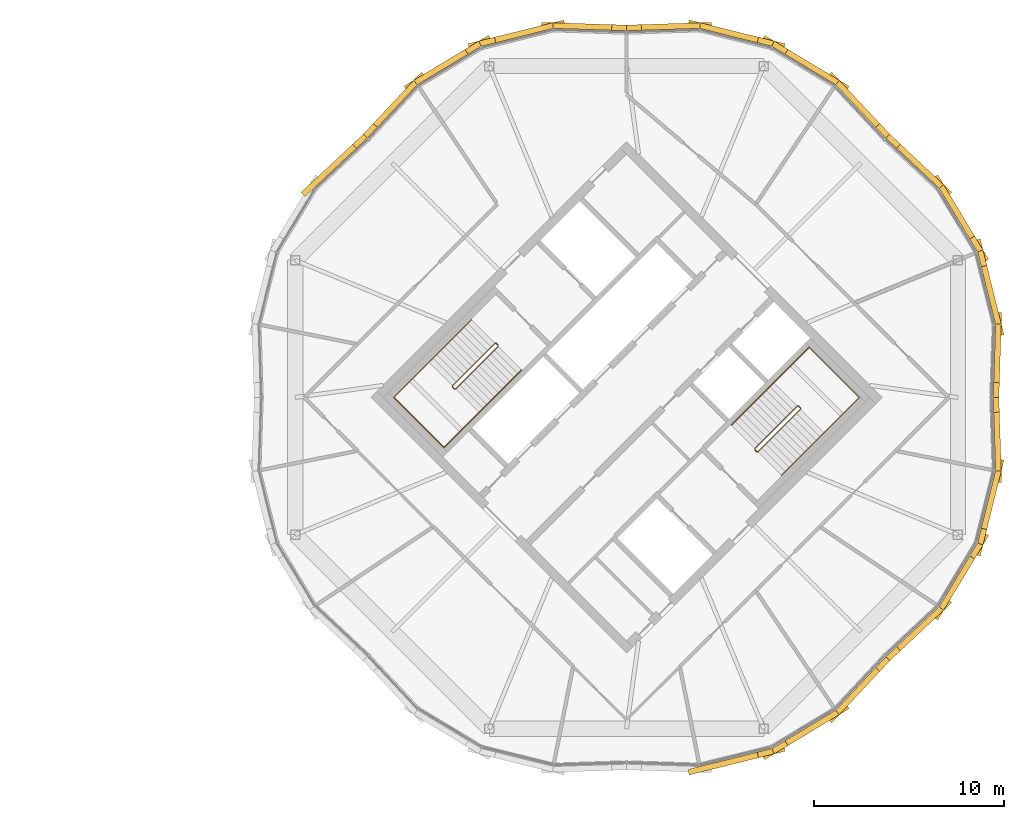
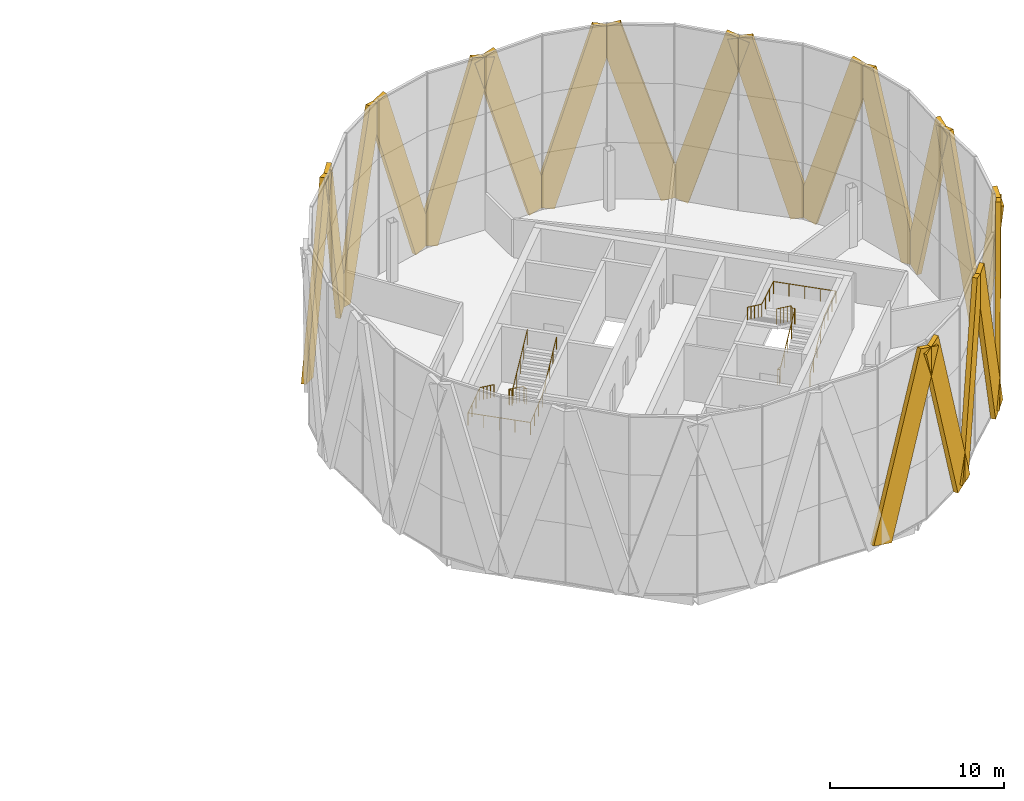
# One storey, part 23 of 23: 20 coverings, 4 railings.
"""IFC4 building model written with IfcOpenShell, lengths in metres."""

from ifc_helpers import new_model, si_unit, direction, frame, origin, origin_2d, place, context, subcontext, project, spatial, rectangle, circle, extrude, material, material_profile, profile_set, type_object, element, save


model = new_model("IFC4")

# Units and contexts
model_context = context("Model", 3, precision=1e-05, world=origin(), true_north=direction((0.0, 1.0)))
body_context = subcontext(model_context, "Body", "Model", "MODEL_VIEW")
ifc_project = project(units=[si_unit("LENGTHUNIT", "METRE"), si_unit("AREAUNIT", "SQUARE_METRE"), si_unit("VOLUMEUNIT", "CUBIC_METRE"), si_unit("PLANEANGLEUNIT", "RADIAN"), si_unit("MASSUNIT", "GRAM", prefix="KILO")], contexts=[model_context])

# Site, building, storey
site_placement = place(None, origin())
site = spatial("IfcSite", under=ifc_project, at=site_placement, CompositionType="ELEMENT")
building_placement = place(site_placement, origin())
building = spatial("IfcBuilding", under=site, at=building_placement, Name="Ogive Gate Towers", CompositionType="ELEMENT")
storey_placement = place(building_placement, frame((0.0, 0.0, 256.199951171875)))
storey = spatial("IfcBuildingStorey", under=building, at=storey_placement, Name="L60", CompositionType="ELEMENT", Elevation=256.199951171875)

# Coverings
ifc_material_1 = material(Name="Pale metal aluminium", Category="aluminium")
ifc_material_profile = material_profile(ifc_material_1, rectangle(XDim=0.300048828125, YDim=1.5, at=origin_2d()), Name="1500 x 300 pale metal aluminium")
ifc_profile_set = profile_set([ifc_material_profile], Name="Pale metal aluminium")
covering_type = type_object("IfcCoveringType", Name="Facade fin 1500 x 300", PredefinedType="CLADDING", material=ifc_profile_set)
covering_1_placement = place(storey_placement, frame((55.551513671875, 3.759521484375, -0.02978515625), z_axis=(-0.009463680043, -0.293257962567, 0.955986509398), x_axis=(0.99947970287, -0.032254047034, 0.0)))
element("IfcCovering", 1, at=covering_1_placement, inside=storey, type_object=covering_type, Name="Facade fin", PredefinedType="CLADDING", context=body_context, shape_type="SweptSolid", body=[
    extrude(rectangle(XDim=0.300048828125, YDim=1.5, at=origin_2d()), origin(), (0.0, 0.0, 1.0), 12.614990234375),
])
for number, where, z_axis, x_axis, name in (
    (2, (55.5302734375, 3.957275390625, -0.02685546875), (-0.071605059781, 0.288798695064, 0.954708347687), (-0.970610891507, -0.240654310763, 0.0), "Facade fin"),
    (3, (52.608154296875, 11.01171875, -0.02685546875), (0.153593798396, -0.254842335272, 0.954706409975), (0.856470551923, 0.516195886935, 0.0), "Facade fin"),
):
    element("IfcCovering", number, at=place(storey_placement, frame(where, z_axis=z_axis, x_axis=x_axis)), inside=storey, type_object=covering_type, Name=name, PredefinedType="CLADDING", context=body_context, shape_type="SweptSolid", body=[
        extrude(rectangle(XDim=0.300048828125, YDim=1.5, at=origin_2d()), origin(), (0.0, 0.0, 1.0), 12.62548828125),
    ])
for number, where, z_axis, x_axis, name in (
    (4, (52.4833984375, 11.166748046875, -0.02978515625), (-0.214046948977, 0.200654499728, 0.955992508011), (-0.68391479769, -0.729561888739, 0.0), "Facade fin"),
    (5, (47.166748046875, 16.4833984375, -0.02978515625), (0.200654499728, -0.214046948977, 0.955992508011), (0.729561888739, 0.68391479769, 0.0), "Facade fin"),
):
    element("IfcCovering", number, at=place(storey_placement, frame(where, z_axis=z_axis, x_axis=x_axis)), inside=storey, type_object=covering_type, Name=name, PredefinedType="CLADDING", context=body_context, shape_type="SweptSolid", body=[
        extrude(rectangle(XDim=0.300048828125, YDim=1.5, at=origin_2d()), origin(), (0.0, 0.0, 1.0), 12.614990234375),
    ])
for number, where, z_axis, x_axis, name in (
    (6, (47.01171875, 16.608154296875, -0.02685546875), (-0.254842335272, 0.153593798396, 0.954706409975), (-0.516195886935, -0.856470551923, 0.0), "Facade fin"),
    (7, (39.957275390625, 19.5302734375, -0.02685546875), (0.288798695064, -0.071605059781, 0.954708347687), (0.240654310763, 0.970610891507, 0.0), "Facade fin"),
):
    element("IfcCovering", number, at=place(storey_placement, frame(where, z_axis=z_axis, x_axis=x_axis)), inside=storey, type_object=covering_type, Name=name, PredefinedType="CLADDING", context=body_context, shape_type="SweptSolid", body=[
        extrude(rectangle(XDim=0.300048828125, YDim=1.5, at=origin_2d()), origin(), (0.0, 0.0, 1.0), 12.62548828125),
    ])
for number, where, z_axis, x_axis, name in (
    (8, (39.759521484375, 19.551513671875, -0.02978515625), (-0.293257962567, -0.009463680043, 0.955986509398), (0.032254047034, -0.99947970287, 0.0), "Facade fin"),
    (9, (32.240478515625, 19.551513671875, -0.02978515625), (0.293257962567, -0.009463680043, 0.955986509398), (0.032254047034, 0.99947970287, 0.0), "Facade fin"),
):
    element("IfcCovering", number, at=place(storey_placement, frame(where, z_axis=z_axis, x_axis=x_axis)), inside=storey, type_object=covering_type, Name=name, PredefinedType="CLADDING", context=body_context, shape_type="SweptSolid", body=[
        extrude(rectangle(XDim=0.300048828125, YDim=1.5, at=origin_2d()), origin(), (0.0, 0.0, 1.0), 12.614990234375),
    ])
for number, where, z_axis, x_axis, name in (
    (10, (32.042724609375, 19.5302734375, -0.02685546875), (-0.288798695064, -0.071605059781, 0.954708347687), (0.240654310763, -0.970610891507, 0.0), "Facade fin"),
    (11, (24.98828125, 16.608154296875, -0.02685546875), (0.254842335272, 0.153593798396, 0.954706409975), (-0.516195886935, 0.856470551923, 0.0), "Facade fin"),
):
    element("IfcCovering", number, at=place(storey_placement, frame(where, z_axis=z_axis, x_axis=x_axis)), inside=storey, type_object=covering_type, Name=name, PredefinedType="CLADDING", context=body_context, shape_type="SweptSolid", body=[
        extrude(rectangle(XDim=0.300048828125, YDim=1.5, at=origin_2d()), origin(), (0.0, 0.0, 1.0), 12.62548828125),
    ])
for number, where, z_axis, x_axis, name in (
    (12, (24.833251953125, 16.4833984375, -0.02978515625), (-0.200654499728, -0.214046948977, 0.955992508011), (0.729561888739, -0.68391479769, 0.0), "Facade fin"),
    (13, (19.5166015625, 11.166748046875, -0.02978515625), (0.214046948977, 0.200654499728, 0.955992508011), (-0.68391479769, 0.729561888739, 0.0), "Facade fin"),
):
    element("IfcCovering", number, at=place(storey_placement, frame(where, z_axis=z_axis, x_axis=x_axis)), inside=storey, type_object=covering_type, Name=name, PredefinedType="CLADDING", context=body_context, shape_type="SweptSolid", body=[
        extrude(rectangle(XDim=0.300048828125, YDim=1.5, at=origin_2d()), origin(), (0.0, 0.0, 1.0), 12.614990234375),
    ])
for number, where, z_axis, x_axis, name in (
    (14, (39.957275390625, -19.5302734375, -0.02685546875), (0.288798695064, 0.071605059781, 0.954708347687), (-0.240654310763, 0.970610891507, 0.0), "Facade fin"),
    (15, (47.01171875, -16.608154296875, -0.02685546875), (-0.254842335272, -0.153593798396, 0.954706409975), (0.516195886935, -0.856470551923, 0.0), "Facade fin"),
):
    element("IfcCovering", number, at=place(storey_placement, frame(where, z_axis=z_axis, x_axis=x_axis)), inside=storey, type_object=covering_type, Name=name, PredefinedType="CLADDING", context=body_context, shape_type="SweptSolid", body=[
        extrude(rectangle(XDim=0.300048828125, YDim=1.5, at=origin_2d()), origin(), (0.0, 0.0, 1.0), 12.62548828125),
    ])
for number, where, z_axis, x_axis, name in (
    (16, (47.166748046875, -16.4833984375, -0.02978515625), (0.200654499728, 0.214046948977, 0.955992508011), (-0.729561888739, 0.68391479769, 0.0), "Facade fin"),
    (17, (52.4833984375, -11.166748046875, -0.02978515625), (-0.214046948977, -0.200654499728, 0.955992508011), (0.68391479769, -0.729561888739, 0.0), "Facade fin"),
):
    element("IfcCovering", number, at=place(storey_placement, frame(where, z_axis=z_axis, x_axis=x_axis)), inside=storey, type_object=covering_type, Name=name, PredefinedType="CLADDING", context=body_context, shape_type="SweptSolid", body=[
        extrude(rectangle(XDim=0.300048828125, YDim=1.5, at=origin_2d()), origin(), (0.0, 0.0, 1.0), 12.614990234375),
    ])
for number, where, z_axis, x_axis, name in (
    (18, (52.608154296875, -11.01171875, -0.02685546875), (0.153593798396, 0.254842335272, 0.954706409975), (-0.856470551923, 0.516195886935, 0.0), "Facade fin"),
    (19, (55.5302734375, -3.957275390625, -0.02685546875), (-0.071605059781, -0.288798695064, 0.954708347687), (0.970610891507, -0.240654310763, 0.0), "Facade fin"),
):
    element("IfcCovering", number, at=place(storey_placement, frame(where, z_axis=z_axis, x_axis=x_axis)), inside=storey, type_object=covering_type, Name=name, PredefinedType="CLADDING", context=body_context, shape_type="SweptSolid", body=[
        extrude(rectangle(XDim=0.300048828125, YDim=1.5, at=origin_2d()), origin(), (0.0, 0.0, 1.0), 12.62548828125),
    ])
covering_2_placement = place(storey_placement, frame((55.551513671875, -3.759521484375, -0.02978515625), z_axis=(-0.009463680043, 0.293257962567, 0.955986509398), x_axis=(-0.99947970287, -0.032254047034, 0.0)))
element("IfcCovering", 20, at=covering_2_placement, inside=storey, type_object=covering_type, Name="Facade fin", PredefinedType="CLADDING", context=body_context, shape_type="SweptSolid", body=[
    extrude(rectangle(XDim=0.300048828125, YDim=1.5, at=origin_2d()), origin(), (0.0, 0.0, 1.0), 12.614990234375),
])

# Railings
ifc_material_2 = material(Name="Stainless steel", Category="steel")
railing_type_1 = type_object("IfcRailingType", Name="Stair guard 1100", PredefinedType="GUARDRAIL", material=ifc_material_2)
railing_1_placement = place(storey_placement, frame((29.15869140625, 2.8603515625, 0.0)))
element("IfcRailing", 21, at=railing_1_placement, inside=storey, type_object=railing_type_1, Name="L60 ST1 stair guard 1", PredefinedType="GUARDRAIL", context=body_context, shape_type="SweptSolid", body=[
    extrude(circle(Radius=0.02392578125, at=origin_2d()), frame((0.0, 0.0, 1.076171875), z_axis=(0.707106781187, -0.707106781187, 0.0), x_axis=(0.707106781187, 0.707106781187, 0.0)), (0.0, 0.0, 1.0), 0.14501953125),
    extrude(circle(Radius=0.02392578125, at=origin_2d()), frame((0.1025390625, -0.1025390625, 1.076171875), z_axis=(-0.649075284728, 0.384501579105, 0.65639912433), x_axis=(-0.509669330572, -0.860370369942, 0.0)), (0.0, 0.0, 1.0), 0.2666015625),
    extrude(circle(Radius=0.02392578125, at=origin_2d()), frame((-0.070556640625, 0.0, 1.2509765625), z_axis=(-0.604012965068, -0.604012965068, 0.519939108031), x_axis=(0.707106781187, -0.707106781187, 0.0)), (0.0, 0.0, 1.0), 3.702392578125),
    extrude(circle(Radius=0.02392578125, at=origin_2d()), frame((-2.306884765625, -2.236328125, 3.17626953125), z_axis=(0.0, -1.0, 0.0), x_axis=(1.0, 0.0, 0.0)), (0.0, 0.0, 1.0), 0.07080078125),
    extrude(circle(Radius=0.02392578125, at=origin_2d()), frame((-2.306884765625, -2.30712890625, 3.17626953125), z_axis=(0.707106781187, -0.707106781187, 0.0), x_axis=(0.707106781187, 0.707106781187, 0.0)), (0.0, 0.0, 1.0), 0.14501953125),
    extrude(circle(Radius=0.02392578125, at=origin_2d()), frame((-2.204345703125, -2.40966796875, 3.17626953125), z_axis=(0.374954686889, 0.0, 0.927043139654), x_axis=(0.0, 1.0, 0.0)), (0.0, 0.0, 1.0), 0.188720703125),
    extrude(circle(Radius=0.02392578125, at=origin_2d()), frame((-2.133544921875, -2.40966796875, 3.35107421875), z_axis=(0.603991787895, 0.604057733063, 0.519911699505), x_axis=(-0.707145379772, 0.707068180494, 0.0)), (0.0, 0.0, 1.0), 3.7021484375),
    extrude(circle(Radius=0.02099609375, at=origin_2d()), origin(), (0.0, 0.0, 1.0), 1.052001953125),
    extrude(circle(Radius=0.02099609375, at=origin_2d()), frame((0.1025390625, -0.1025390625, 0.0)), (0.0, 0.0, 1.0), 1.052001953125),
    extrude(circle(Radius=0.02099609375, at=origin_2d()), frame((-0.070556640625, 0.0, 0.175048828125)), (0.0, 0.0, 1.0), 1.052001953125),
    extrude(circle(Radius=0.02099609375, at=origin_2d()), frame((-0.629638671875, -0.55908203125, 0.65625)), (0.0, 0.0, 1.0), 1.052001953125),
    extrude(circle(Radius=0.02099609375, at=origin_2d()), frame((-1.188720703125, -1.1181640625, 1.1376953125)), (0.0, 0.0, 1.0), 1.052001953125),
    extrude(circle(Radius=0.02099609375, at=origin_2d()), frame((-1.747802734375, -1.67724609375, 1.618896484375)), (0.0, 0.0, 1.0), 1.052001953125),
    extrude(circle(Radius=0.02099609375, at=origin_2d()), frame((-2.306884765625, -2.236328125, 2.10009765625)), (0.0, 0.0, 1.0), 1.052001953125),
    extrude(circle(Radius=0.02099609375, at=origin_2d()), frame((-2.306884765625, -2.30712890625, 2.10009765625)), (0.0, 0.0, 1.0), 1.052001953125),
    extrude(circle(Radius=0.02099609375, at=origin_2d()), frame((-2.204345703125, -2.40966796875, 2.10009765625)), (0.0, 0.0, 1.0), 1.052001953125),
    extrude(circle(Radius=0.02099609375, at=origin_2d()), frame((-2.133544921875, -2.40966796875, 2.275146484375)), (0.0, 0.0, 1.0), 1.052001953125),
    extrude(circle(Radius=0.02099609375, at=origin_2d()), frame((-1.574462890625, -1.8505859375, 2.75634765625)), (0.0, 0.0, 1.0), 1.052001953125),
    extrude(circle(Radius=0.02099609375, at=origin_2d()), frame((-1.015625, -1.29150390625, 3.237548828125)), (0.0, 0.0, 1.0), 1.052001953125),
    extrude(circle(Radius=0.02099609375, at=origin_2d()), frame((-0.45654296875, -0.732421875, 3.71875)), (0.0, 0.0, 1.0), 1.052001953125),
    extrude(circle(Radius=0.02099609375, at=origin_2d()), frame((0.1025390625, -0.17333984375, 4.199951171875)), (0.0, 0.0, 1.0), 1.052001953125),
])
railing_2_placement = place(storey_placement, frame((42.84130859375, -2.8603515625, 0.0)))
element("IfcRailing", 22, at=railing_2_placement, inside=storey, type_object=railing_type_1, Name="L60 ST2 stair guard 1", PredefinedType="GUARDRAIL", context=body_context, shape_type="SweptSolid", body=[
    extrude(circle(Radius=0.02392578125, at=origin_2d()), frame((0.0, 0.0, 1.076171875), z_axis=(-0.707106781187, 0.707106781187, 0.0), x_axis=(-0.707106781187, -0.707106781187, 0.0)), (0.0, 0.0, 1.0), 0.14501953125),
    extrude(circle(Radius=0.02392578125, at=origin_2d()), frame((-0.1025390625, 0.1025390625, 1.076171875), z_axis=(0.649075284728, -0.384501579105, 0.65639912433), x_axis=(0.509669330572, 0.860370369942, 0.0)), (0.0, 0.0, 1.0), 0.2666015625),
    extrude(circle(Radius=0.02392578125, at=origin_2d()), frame((0.070556640625, 0.0, 1.2509765625), z_axis=(0.604012965068, 0.604012965068, 0.519939108031), x_axis=(-0.707106781187, 0.707106781187, 0.0)), (0.0, 0.0, 1.0), 3.702392578125),
    extrude(circle(Radius=0.02392578125, at=origin_2d()), frame((2.306884765625, 2.236328125, 3.17626953125), z_axis=(0.0, 1.0, 0.0), x_axis=(-1.0, 0.0, 0.0)), (0.0, 0.0, 1.0), 0.07080078125),
    extrude(circle(Radius=0.02392578125, at=origin_2d()), frame((2.306884765625, 2.30712890625, 3.17626953125), z_axis=(-0.707106781187, 0.707106781187, 0.0), x_axis=(-0.707106781187, -0.707106781187, 0.0)), (0.0, 0.0, 1.0), 0.14501953125),
    extrude(circle(Radius=0.02392578125, at=origin_2d()), frame((2.204345703125, 2.40966796875, 3.17626953125), z_axis=(-0.374954686889, 0.0, 0.927043139654), x_axis=(0.0, -1.0, 0.0)), (0.0, 0.0, 1.0), 0.188720703125),
    extrude(circle(Radius=0.02392578125, at=origin_2d()), frame((2.133544921875, 2.40966796875, 3.35107421875), z_axis=(-0.603991787895, -0.604057733063, 0.519911699505), x_axis=(0.707145379772, -0.707068180494, 0.0)), (0.0, 0.0, 1.0), 3.7021484375),
    extrude(circle(Radius=0.02099609375, at=origin_2d()), origin(), (0.0, 0.0, 1.0), 1.052001953125),
    extrude(circle(Radius=0.02099609375, at=origin_2d()), frame((-0.1025390625, 0.1025390625, 0.0)), (0.0, 0.0, 1.0), 1.052001953125),
    extrude(circle(Radius=0.02099609375, at=origin_2d()), frame((0.070556640625, 0.0, 0.175048828125)), (0.0, 0.0, 1.0), 1.052001953125),
    extrude(circle(Radius=0.02099609375, at=origin_2d()), frame((0.629638671875, 0.55908203125, 0.65625)), (0.0, 0.0, 1.0), 1.052001953125),
    extrude(circle(Radius=0.02099609375, at=origin_2d()), frame((1.188720703125, 1.1181640625, 1.1376953125)), (0.0, 0.0, 1.0), 1.052001953125),
    extrude(circle(Radius=0.02099609375, at=origin_2d()), frame((1.747802734375, 1.67724609375, 1.618896484375)), (0.0, 0.0, 1.0), 1.052001953125),
    extrude(circle(Radius=0.02099609375, at=origin_2d()), frame((2.306884765625, 2.236328125, 2.10009765625)), (0.0, 0.0, 1.0), 1.052001953125),
    extrude(circle(Radius=0.02099609375, at=origin_2d()), frame((2.306884765625, 2.30712890625, 2.10009765625)), (0.0, 0.0, 1.0), 1.052001953125),
    extrude(circle(Radius=0.02099609375, at=origin_2d()), frame((2.204345703125, 2.40966796875, 2.10009765625)), (0.0, 0.0, 1.0), 1.052001953125),
    extrude(circle(Radius=0.02099609375, at=origin_2d()), frame((2.133544921875, 2.40966796875, 2.275146484375)), (0.0, 0.0, 1.0), 1.052001953125),
    extrude(circle(Radius=0.02099609375, at=origin_2d()), frame((1.574462890625, 1.8505859375, 2.75634765625)), (0.0, 0.0, 1.0), 1.052001953125),
    extrude(circle(Radius=0.02099609375, at=origin_2d()), frame((1.015625, 1.29150390625, 3.237548828125)), (0.0, 0.0, 1.0), 1.052001953125),
    extrude(circle(Radius=0.02099609375, at=origin_2d()), frame((0.45654296875, 0.732421875, 3.71875)), (0.0, 0.0, 1.0), 1.052001953125),
    extrude(circle(Radius=0.02099609375, at=origin_2d()), frame((-0.1025390625, 0.17333984375, 4.199951171875)), (0.0, 0.0, 1.0), 1.052001953125),
])
railing_type_2 = type_object("IfcRailingType", Name="Stair handrail 900", PredefinedType="HANDRAIL", material=ifc_material_2)
railing_3_placement = place(storey_placement, frame((27.857666015625, 4.090576171875, 0.175048828125)))
element("IfcRailing", 23, at=railing_3_placement, inside=storey, type_object=railing_type_2, Name="L60 ST1 stair handrail 1", PredefinedType="HANDRAIL", context=body_context, shape_type="SweptSolid", body=[
    extrude(circle(Radius=0.02392578125, at=origin_2d()), frame((0.0, 0.0, 0.8759765625), z_axis=(-0.604037022294, -0.603971079388, 0.51995981668), x_axis=(0.707068180494, -0.707145379772, 0.0)), (0.0, 0.0, 1.0), 3.702392578125),
    extrude(circle(Radius=0.02392578125, at=origin_2d()), frame((-2.236328125, -2.236083984375, 2.80078125), z_axis=(-0.70706023191, -0.707153327399, 0.0), x_axis=(0.707153327399, -0.70706023191, 0.0)), (0.0, 0.0, 1.0), 2.62255859375),
    extrude(circle(Radius=0.02392578125, at=origin_2d()), frame((-4.090576171875, -4.090576171875, 2.80078125), z_axis=(0.707106781187, -0.707106781187, 0.0), x_axis=(0.707106781187, 0.707106781187, 0.0)), (0.0, 0.0, 1.0), 3.72509765625),
    extrude(circle(Radius=0.02392578125, at=origin_2d()), frame((-1.45654296875, -6.724609375, 2.80078125), z_axis=(0.705490325719, 0.705583214505, 0.066601259189), x_axis=(-0.707153327399, 0.70706023191, 0.0)), (0.0, 0.0, 1.0), 2.62841796875),
    extrude(circle(Radius=0.02392578125, at=origin_2d()), frame((0.397705078125, -4.8701171875, 2.97607421875), z_axis=(0.604057733063, 0.603991787895, 0.519911699505), x_axis=(-0.707068180494, 0.707145379772, 0.0)), (0.0, 0.0, 1.0), 3.7021484375),
    extrude(circle(Radius=0.02099609375, at=origin_2d()), origin(), (0.0, 0.0, 1.0), 0.851806640625),
    extrude(circle(Radius=0.02099609375, at=origin_2d()), frame((-0.55908203125, -0.55908203125, 0.481201171875)), (0.0, 0.0, 1.0), 0.851806640625),
    extrude(circle(Radius=0.02099609375, at=origin_2d()), frame((-1.1181640625, -1.1181640625, 0.96240234375)), (0.0, 0.0, 1.0), 0.851806640625),
    extrude(circle(Radius=0.02099609375, at=origin_2d()), frame((-1.67724609375, -1.677001953125, 1.44384765625)), (0.0, 0.0, 1.0), 0.851806640625),
    extrude(circle(Radius=0.02099609375, at=origin_2d()), frame((-2.236328125, -2.236083984375, 1.925048828125)), (0.0, 0.0, 1.0), 0.851806640625),
    extrude(circle(Radius=0.02099609375, at=origin_2d()), frame((-2.8544921875, -2.854248046875, 1.925048828125)), (0.0, 0.0, 1.0), 0.851806640625),
    extrude(circle(Radius=0.02099609375, at=origin_2d()), frame((-3.472412109375, -3.472412109375, 1.925048828125)), (0.0, 0.0, 1.0), 0.851806640625),
    extrude(circle(Radius=0.02099609375, at=origin_2d()), frame((-4.090576171875, -4.090576171875, 1.925048828125)), (0.0, 0.0, 1.0), 0.851806640625),
    extrude(circle(Radius=0.02099609375, at=origin_2d()), frame((-3.43212890625, -4.7490234375, 1.925048828125)), (0.0, 0.0, 1.0), 0.851806640625),
    extrude(circle(Radius=0.02099609375, at=origin_2d()), frame((-2.7734375, -5.40771484375, 1.925048828125)), (0.0, 0.0, 1.0), 0.851806640625),
    extrude(circle(Radius=0.02099609375, at=origin_2d()), frame((-2.114990234375, -6.066162109375, 1.925048828125)), (0.0, 0.0, 1.0), 0.851806640625),
    extrude(circle(Radius=0.02099609375, at=origin_2d()), frame((-1.45654296875, -6.724609375, 1.925048828125)), (0.0, 0.0, 1.0), 0.851806640625),
    extrude(circle(Radius=0.02099609375, at=origin_2d()), frame((-0.83837890625, -6.1064453125, 1.9833984375)), (0.0, 0.0, 1.0), 0.851806640625),
    extrude(circle(Radius=0.02099609375, at=origin_2d()), frame((-0.220458984375, -5.48828125, 2.041748046875)), (0.0, 0.0, 1.0), 0.851806640625),
    extrude(circle(Radius=0.02099609375, at=origin_2d()), frame((0.397705078125, -4.8701171875, 2.10009765625)), (0.0, 0.0, 1.0), 0.851806640625),
    extrude(circle(Radius=0.02099609375, at=origin_2d()), frame((0.956787109375, -4.31103515625, 2.581298828125)), (0.0, 0.0, 1.0), 0.851806640625),
    extrude(circle(Radius=0.02099609375, at=origin_2d()), frame((1.515869140625, -3.751953125, 3.0625)), (0.0, 0.0, 1.0), 0.851806640625),
    extrude(circle(Radius=0.02099609375, at=origin_2d()), frame((2.074951171875, -3.193115234375, 3.543701171875)), (0.0, 0.0, 1.0), 0.851806640625),
    extrude(circle(Radius=0.02099609375, at=origin_2d()), frame((2.634033203125, -2.634033203125, 4.02490234375)), (0.0, 0.0, 1.0), 0.851806640625),
])
railing_4_placement = place(storey_placement, frame((44.142333984375, -4.090576171875, 0.175048828125)))
element("IfcRailing", 24, at=railing_4_placement, inside=storey, type_object=railing_type_2, Name="L60 ST2 stair handrail 1", PredefinedType="HANDRAIL", context=body_context, shape_type="SweptSolid", body=[
    extrude(circle(Radius=0.02392578125, at=origin_2d()), frame((0.0, 0.0, 0.8759765625), z_axis=(0.604037022294, 0.603971079388, 0.51995981668), x_axis=(-0.707068180494, 0.707145379772, 0.0)), (0.0, 0.0, 1.0), 3.702392578125),
    extrude(circle(Radius=0.02392578125, at=origin_2d()), frame((2.236328125, 2.236083984375, 2.80078125), z_axis=(0.70706023191, 0.707153327399, 0.0), x_axis=(-0.707153327399, 0.70706023191, 0.0)), (0.0, 0.0, 1.0), 2.62255859375),
    extrude(circle(Radius=0.02392578125, at=origin_2d()), frame((4.090576171875, 4.090576171875, 2.80078125), z_axis=(-0.707106781187, 0.707106781187, 0.0), x_axis=(-0.707106781187, -0.707106781187, 0.0)), (0.0, 0.0, 1.0), 3.72509765625),
    extrude(circle(Radius=0.02392578125, at=origin_2d()), frame((1.45654296875, 6.724609375, 2.80078125), z_axis=(-0.705490325719, -0.705583214505, 0.066601259189), x_axis=(0.707153327399, -0.70706023191, 0.0)), (0.0, 0.0, 1.0), 2.62841796875),
    extrude(circle(Radius=0.02392578125, at=origin_2d()), frame((-0.397705078125, 4.8701171875, 2.97607421875), z_axis=(-0.604057733063, -0.603991787895, 0.519911699505), x_axis=(0.707068180494, -0.707145379772, 0.0)), (0.0, 0.0, 1.0), 3.7021484375),
    extrude(circle(Radius=0.02099609375, at=origin_2d()), origin(), (0.0, 0.0, 1.0), 0.851806640625),
    extrude(circle(Radius=0.02099609375, at=origin_2d()), frame((0.55908203125, 0.55908203125, 0.481201171875)), (0.0, 0.0, 1.0), 0.851806640625),
    extrude(circle(Radius=0.02099609375, at=origin_2d()), frame((1.1181640625, 1.1181640625, 0.96240234375)), (0.0, 0.0, 1.0), 0.851806640625),
    extrude(circle(Radius=0.02099609375, at=origin_2d()), frame((1.67724609375, 1.677001953125, 1.44384765625)), (0.0, 0.0, 1.0), 0.851806640625),
    extrude(circle(Radius=0.02099609375, at=origin_2d()), frame((2.236328125, 2.236083984375, 1.925048828125)), (0.0, 0.0, 1.0), 0.851806640625),
    extrude(circle(Radius=0.02099609375, at=origin_2d()), frame((2.8544921875, 2.854248046875, 1.925048828125)), (0.0, 0.0, 1.0), 0.851806640625),
    extrude(circle(Radius=0.02099609375, at=origin_2d()), frame((3.472412109375, 3.472412109375, 1.925048828125)), (0.0, 0.0, 1.0), 0.851806640625),
    extrude(circle(Radius=0.02099609375, at=origin_2d()), frame((4.090576171875, 4.090576171875, 1.925048828125)), (0.0, 0.0, 1.0), 0.851806640625),
    extrude(circle(Radius=0.02099609375, at=origin_2d()), frame((3.43212890625, 4.7490234375, 1.925048828125)), (0.0, 0.0, 1.0), 0.851806640625),
    extrude(circle(Radius=0.02099609375, at=origin_2d()), frame((2.7734375, 5.40771484375, 1.925048828125)), (0.0, 0.0, 1.0), 0.851806640625),
    extrude(circle(Radius=0.02099609375, at=origin_2d()), frame((2.114990234375, 6.066162109375, 1.925048828125)), (0.0, 0.0, 1.0), 0.851806640625),
    extrude(circle(Radius=0.02099609375, at=origin_2d()), frame((1.45654296875, 6.724609375, 1.925048828125)), (0.0, 0.0, 1.0), 0.851806640625),
    extrude(circle(Radius=0.02099609375, at=origin_2d()), frame((0.83837890625, 6.1064453125, 1.9833984375)), (0.0, 0.0, 1.0), 0.851806640625),
    extrude(circle(Radius=0.02099609375, at=origin_2d()), frame((0.220458984375, 5.48828125, 2.041748046875)), (0.0, 0.0, 1.0), 0.851806640625),
    extrude(circle(Radius=0.02099609375, at=origin_2d()), frame((-0.397705078125, 4.8701171875, 2.10009765625)), (0.0, 0.0, 1.0), 0.851806640625),
    extrude(circle(Radius=0.02099609375, at=origin_2d()), frame((-0.956787109375, 4.31103515625, 2.581298828125)), (0.0, 0.0, 1.0), 0.851806640625),
    extrude(circle(Radius=0.02099609375, at=origin_2d()), frame((-1.515869140625, 3.751953125, 3.0625)), (0.0, 0.0, 1.0), 0.851806640625),
    extrude(circle(Radius=0.02099609375, at=origin_2d()), frame((-2.074951171875, 3.193115234375, 3.543701171875)), (0.0, 0.0, 1.0), 0.851806640625),
    extrude(circle(Radius=0.02099609375, at=origin_2d()), frame((-2.634033203125, 2.634033203125, 4.02490234375)), (0.0, 0.0, 1.0), 0.851806640625),
])

save(model, "model.ifc")
